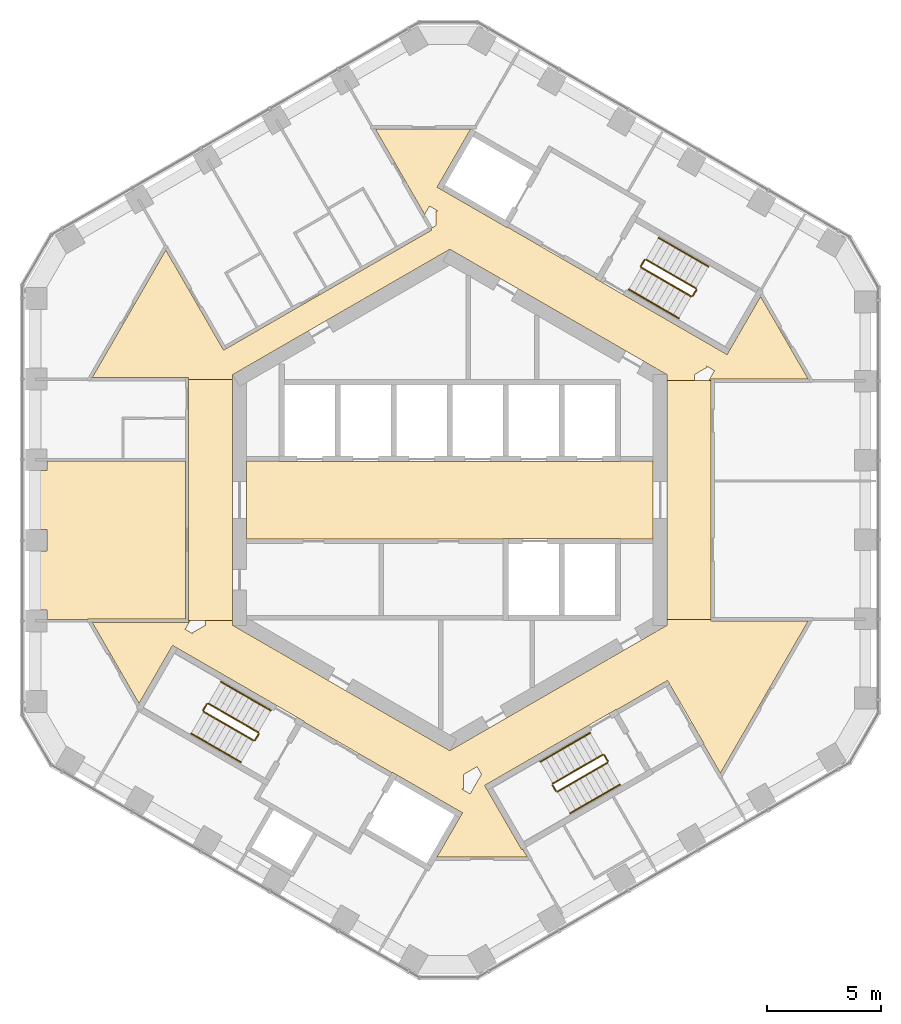
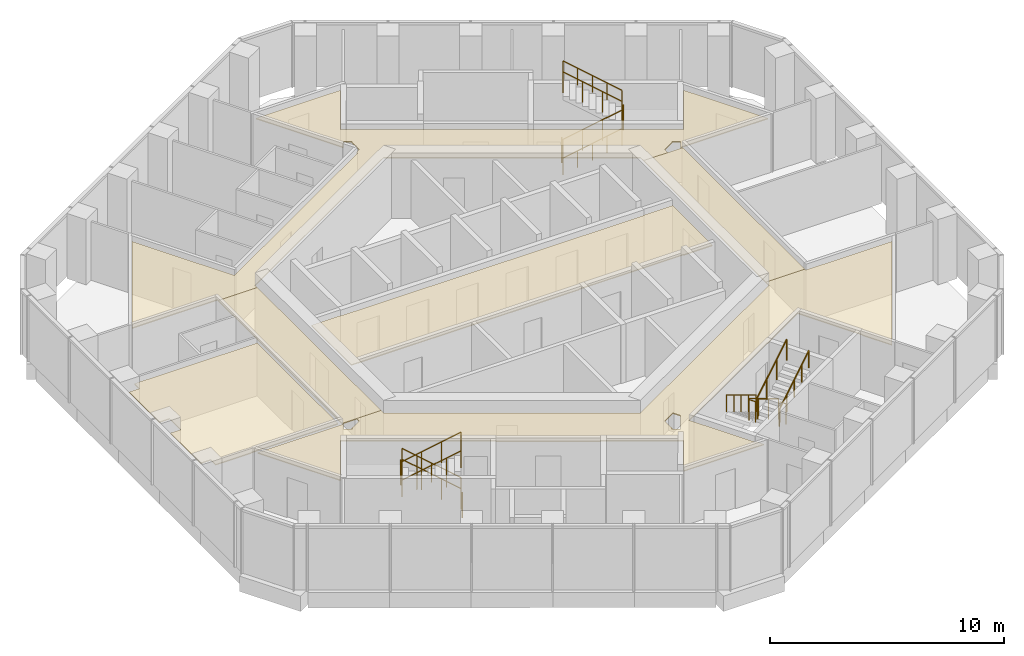
# One storey, part 19 of 19: 24 railings, 6 coverings.
"""IFC4 building model written with IfcOpenShell, lengths in metres."""

from ifc_helpers import new_model, si_unit, direction, frame, origin, origin_2d, place, context, subcontext, project, spatial, polyline, circle, outline, extrude, material, layer, layer_set, type_object, element, save


model = new_model("IFC4")

# Units and contexts
model_context = context("Model", 3, precision=1e-05, world=origin(), true_north=direction((0.0, 1.0)))
body_context = subcontext(model_context, "Body", "Model", "MODEL_VIEW")
ifc_project = project(units=[si_unit("LENGTHUNIT", "METRE"), si_unit("AREAUNIT", "SQUARE_METRE"), si_unit("VOLUMEUNIT", "CUBIC_METRE"), si_unit("PLANEANGLEUNIT", "RADIAN"), si_unit("MASSUNIT", "GRAM", prefix="KILO")], contexts=[model_context])

# Site, building, storey
site_placement = place(None, origin())
site = spatial("IfcSite", under=ifc_project, at=site_placement, CompositionType="ELEMENT")
building_placement = place(site_placement, origin())
building = spatial("IfcBuilding", under=site, at=building_placement, Name="Ayvan Gate Tower", CompositionType="ELEMENT")
storey_placement = place(building_placement, frame((0.0, 0.0, 156.10009765625)))
storey = spatial("IfcBuildingStorey", under=building, at=storey_placement, Name="L41", CompositionType="ELEMENT", Elevation=156.10009765625)

# Coverings
ifc_material_1 = material(Name="Plasterboard suspended ceiling")
ifc_layer = layer(ifc_material_1, 0.050048828125)
ifc_layer_set = layer_set([ifc_layer], Name="Plasterboard suspended ceiling")
covering_type = type_object("IfcCoveringType", Name="CT-SUSP-50", PredefinedType="CEILING", material=ifc_layer_set)
covering_1_placement = place(storey_placement, frame((0.0, 0.0, 2.699951171875)))
element("IfcCovering", 1, at=covering_1_placement, inside=storey, type_object=covering_type, Name="Ceiling Lift Lobby L41", PredefinedType="CEILING", context=body_context, shape_type="SweptSolid", body=[
    extrude(outline(polyline([(7.47509765625, -1.675048828125), (2.324951171875, -1.675048828125), (2.324951171875, -1.699951171875), (-8.89990234375, -1.699951171875), (-8.89990234375, 1.699951171875), (-7.47509765625, 1.699951171875), (-7.47509765625, 1.675048828125), (7.47509765625, 1.675048828125), (7.47509765625, 1.699951171875), (8.89990234375, 1.699951171875), (8.89990234375, -1.699951171875), (7.47509765625, -1.699951171875), (7.47509765625, -1.675048828125)])), origin(), (0.0, 0.0, 1.0), 0.050048828125),
])
covering_2_placement = place(storey_placement, frame((0.0, 0.0, 2.699951171875)))
element("IfcCovering", 2, at=covering_2_placement, inside=storey, type_object=covering_type, Name="Ceiling Gallery L41", PredefinedType="CEILING", context=body_context, shape_type="SweptSolid", body=[
    extrude(outline(polyline([(-11.914794921875, -6.48681640625), (-12.131103515625, -6.36181640625), (-13.597412109375, -8.901611328125), (-15.644287109375, -5.356201171875), (-11.4248046875, -5.356201171875), (-11.4248046875, -5.28125), (-11.363037109375, -5.28125), (-11.421142578125, -5.382080078125), (-11.580322265625, -5.65771484375), (-11.2294921875, -5.8603515625), (-11.259765625, -5.80810546875), (-10.699951171875, -5.48486328125), (-10.699951171875, -5.28125), (-9.5, -5.28125), (-9.5, -5.48486328125), (0.0, -10.9697265625), (8.38720703125, -6.127197265625), (9.5, -5.48486328125), (9.5, -5.2197265625), (11.4248046875, -5.2197265625), (11.4248046875, -5.294677734375), (15.679931640625, -5.294677734375), (11.836669921875, -11.95166015625), (11.102294921875, -10.6796875), (11.123779296875, -10.667236328125), (9.623779296875, -8.069091796875), (9.52392578125, -7.89599609375), (7.2939453125, -9.183349609375), (7.281494140625, -9.16162109375), (1.522216796875, -12.48681640625), (1.647216796875, -12.703369140625), (3.147216796875, -15.30126953125), (3.190673828125, -15.2763671875), (3.392822265625, -15.626708984375), (-0.563720703125, -15.626708984375), (0.43115234375, -13.9033203125), (0.55615234375, -13.686767578125), (-2.284423828125, -12.046630859375), (-2.518310546875, -11.91162109375), (-2.53076171875, -11.933349609375), (-6.384521484375, -9.70849609375), (-6.3720703125, -9.686767578125), (-11.91455078125, -6.48681640625), (-11.914794921875, -6.48681640625)]), holes=[polyline([(1.385498046875, -12.0), (1.193115234375, -11.66650390625), (0.60009765625, -12.0087890625), (0.60009765625, -12.6552734375), (0.53955078125, -12.6552734375), (0.890380859375, -12.85791015625), (1.385498046875, -12.0)])]), origin(), (0.0, 0.0, 1.0), 0.050048828125),
])
covering_3_placement = place(storey_placement, frame((0.0, 0.0, 2.699951171875)))
element("IfcCovering", 3, at=covering_3_placement, inside=storey, type_object=covering_type, Name="Ceiling Gallery L41", PredefinedType="CEILING", context=body_context, shape_type="SweptSolid", body=[
    extrude(outline(polyline([(-0.7919921875, 11.811279296875), (-0.82958984375, 11.876220703125), (-0.60009765625, 12.0087890625), (-0.60009765625, 12.6552734375), (-0.53955078125, 12.6552734375), (-0.890380859375, 12.85791015625), (-1.10009765625, 12.49462890625), (-3.254638671875, 16.2265625), (0.91015625, 16.2265625), (-0.55615234375, 13.686767578125), (-0.339599609375, 13.561767578125), (2.518310546875, 11.91162109375), (2.53076171875, 11.933349609375), (6.384521484375, 9.70849609375), (6.3720703125, 9.686767578125), (6.588623046875, 9.561767578125), (12.131103515625, 6.36181640625), (12.24609375, 6.56103515625), (13.597412109375, 8.901611328125), (15.679931640625, 5.294677734375), (11.425048828125, 5.294677734375), (11.425048828125, 5.2197265625), (11.327392578125, 5.2197265625), (11.37060546875, 5.294677734375), (11.580322265625, 5.65771484375), (11.2294921875, 5.8603515625), (11.259765625, 5.80810546875), (10.699951171875, 5.48486328125), (10.699951171875, 5.2197265625), (9.5, 5.2197265625), (9.5, 5.48486328125), (0.0, 10.9697265625), (-9.2705078125, 5.617431640625), (-9.5, 5.48486328125), (-9.5, 5.28125), (-11.425048828125, 5.28125), (-11.425048828125, 5.356201171875), (-15.644287109375, 5.356201171875), (-12.42529296875, 10.931884765625), (-9.89794921875, 6.55419921875), (-9.767822265625, 6.629150390625), (-0.7919921875, 11.811279296875)])), origin(), (0.0, 0.0, 1.0), 0.050048828125),
])
covering_4_placement = place(storey_placement, frame((0.0, 0.0, 2.699951171875)))
element("IfcCovering", 4, at=covering_4_placement, inside=storey, type_object=covering_type, Name="Ceiling Lift Lounge Lobby L41", PredefinedType="CEILING", context=body_context, shape_type="SweptSolid", body=[
    extrude(outline(polyline([(11.4248046875, -5.2197265625), (9.5, -5.2197265625), (9.5, 5.2197265625), (11.425048828125, 5.2197265625), (11.425048828125, -5.144775390625), (11.4248046875, -5.144775390625), (11.4248046875, -5.2197265625)])), origin(), (0.0, 0.0, 1.0), 0.050048828125),
])
covering_5_placement = place(storey_placement, frame((0.0, 0.0, 2.699951171875)))
element("IfcCovering", 5, at=covering_5_placement, inside=storey, type_object=covering_type, Name="Ceiling Lift Lounge Lobby L41", PredefinedType="CEILING", context=body_context, shape_type="SweptSolid", body=[
    extrude(outline(polyline([(-11.4248046875, -5.206298828125), (-11.425048828125, 5.28125), (-9.5, 5.28125), (-9.5, -5.28125), (-11.4248046875, -5.28125), (-11.4248046875, -5.206298828125)])), origin(), (0.0, 0.0, 1.0), 0.050048828125),
])
covering_6_placement = place(storey_placement, frame((0.0, 0.0, 2.699951171875)))
element("IfcCovering", 6, at=covering_6_placement, inside=storey, type_object=covering_type, Name="Ceiling Shared Kitchen L41", PredefinedType="CEILING", context=body_context, shape_type="SweptSolid", body=[
    extrude(outline(polyline([(-17.62255859375, 1.288818359375), (-17.62255859375, 1.71044921875), (-11.574951171875, 1.71044921875), (-11.574951171875, -5.206298828125), (-15.849365234375, -5.206298828125), (-15.849365234375, -5.231201171875), (-17.62255859375, -5.231201171875), (-17.62255859375, -4.816650390625), (-18.127197265625, -4.816650390625), (-18.127197265625, -2.239013671875), (-17.62255859375, -2.239013671875), (-17.62255859375, -1.288818359375), (-18.127197265625, -1.288818359375), (-18.127197265625, 1.288818359375), (-17.62255859375, 1.288818359375)])), origin(), (0.0, 0.0, 1.0), 0.050048828125),
])

# Railings
ifc_material_2 = material(Name="Stainless steel balustrade", Category="steel")
railing_type_1 = type_object("IfcRailingType", Name="RL-GUARD-1100", PredefinedType="GUARDRAIL", material=ifc_material_2)
railing_1_placement = place(storey_placement, frame((8.381103515625, 10.16650390625, 0.169921875)))
element("IfcRailing", 7, at=railing_1_placement, inside=storey, type_object=railing_type_1, Name="L41 STS1 stair guard 1", PredefinedType="GUARDRAIL", context=body_context, shape_type="SweptSolid", body=[
    extrude(circle(Radius=0.02392578125, at=origin_2d()), frame((0.0, 0.0, 1.076171875), z_axis=(0.740261155115, -0.427395438142, 0.518986090067), x_axis=(0.500004791531, 0.866022637375, 0.0)), (0.0, 0.0, 1.0), 2.947998046875),
    extrude(circle(Radius=0.02099609375, at=origin_2d()), origin(), (0.0, 0.0, 1.0), 1.052001953125),
    extrude(circle(Radius=0.02099609375, at=origin_2d()), frame((0.7275390625, -0.419921875, 0.510009765625)), (0.0, 0.0, 1.0), 1.052001953125),
    extrude(circle(Radius=0.02099609375, at=origin_2d()), frame((1.454833984375, -0.840087890625, 1.02001953125)), (0.0, 0.0, 1.0), 1.052001953125),
    extrude(circle(Radius=0.02099609375, at=origin_2d()), frame((2.182373046875, -1.260009765625, 1.530029296875)), (0.0, 0.0, 1.0), 1.052001953125),
])
railing_2_placement = place(storey_placement, frame((10.6318359375, 8.9248046875, 1.699951171875)))
element("IfcRailing", 8, at=railing_2_placement, inside=storey, type_object=railing_type_1, Name="L41 STS1 stair guard 2", PredefinedType="GUARDRAIL", context=body_context, shape_type="SweptSolid", body=[
    extrude(circle(Radius=0.02392578125, at=origin_2d()), frame((0.0, 0.0, 1.076171875), z_axis=(0.499949632511, 0.866054481515, 0.0), x_axis=(-0.866054481515, 0.499949632511, 0.0)), (0.0, 0.0, 1.0), 0.31005859375),
    extrude(circle(Radius=0.02099609375, at=origin_2d()), origin(), (0.0, 0.0, 1.0), 1.052001953125),
    extrude(circle(Radius=0.02099609375, at=origin_2d()), frame((0.155029296875, 0.2685546875, 0.0)), (0.0, 0.0, 1.0), 1.052001953125),
])
railing_3_placement = place(storey_placement, frame((10.7685546875, 9.261474609375, 1.869873046875)))
element("IfcRailing", 9, at=railing_3_placement, inside=storey, type_object=railing_type_1, Name="L41 STS1 stair guard 3", PredefinedType="GUARDRAIL", context=body_context, shape_type="SweptSolid", body=[
    extrude(circle(Radius=0.02392578125, at=origin_2d()), frame((0.0, 0.0, 1.076171875), z_axis=(-0.740261155115, 0.427395438142, 0.518986090067), x_axis=(-0.500004791531, -0.866022637375, 0.0)), (0.0, 0.0, 1.0), 2.947998046875),
    extrude(circle(Radius=0.02099609375, at=origin_2d()), origin(), (0.0, 0.0, 1.0), 1.052001953125),
    extrude(circle(Radius=0.02099609375, at=origin_2d()), frame((-0.7275390625, 0.419921875, 0.510009765625)), (0.0, 0.0, 1.0), 1.052001953125),
    extrude(circle(Radius=0.02099609375, at=origin_2d()), frame((-1.454833984375, 0.840087890625, 1.02001953125)), (0.0, 0.0, 1.0), 1.052001953125),
    extrude(circle(Radius=0.02099609375, at=origin_2d()), frame((-2.182373046875, 1.260009765625, 1.530029296875)), (0.0, 0.0, 1.0), 1.052001953125),
])
railing_4_placement = place(storey_placement, frame((8.36279296875, 10.23486328125, 0.0)))
element("IfcRailing", 10, at=railing_4_placement, inside=storey, type_object=railing_type_1, Name="L41 STS1 stair guard 4", PredefinedType="GUARDRAIL", context=body_context, shape_type="SweptSolid", body=[
    extrude(circle(Radius=0.02392578125, at=origin_2d()), frame((0.0, 0.0, 1.076171875), z_axis=(0.500290723946, 0.86585748916, 0.0), x_axis=(-0.86585748916, 0.500290723946, 0.0)), (0.0, 0.0, 1.0), 0.309814453125),
    extrude(circle(Radius=0.02099609375, at=origin_2d()), origin(), (0.0, 0.0, 1.0), 1.052001953125),
    extrude(circle(Radius=0.02099609375, at=origin_2d()), frame((0.155029296875, 0.268310546875, 0.0)), (0.0, 0.0, 1.0), 1.052001953125),
])
railing_5_placement = place(storey_placement, frame((-8.381103515625, -10.16650390625, 0.169921875)))
element("IfcRailing", 11, at=railing_5_placement, inside=storey, type_object=railing_type_1, Name="L41 STS2 stair guard 1", PredefinedType="GUARDRAIL", context=body_context, shape_type="SweptSolid", body=[
    extrude(circle(Radius=0.02392578125, at=origin_2d()), frame((0.0, 0.0, 1.076171875), z_axis=(-0.740261155115, 0.427395438142, 0.518986090067), x_axis=(-0.500004791531, -0.866022637375, 0.0)), (0.0, 0.0, 1.0), 2.947998046875),
    extrude(circle(Radius=0.02099609375, at=origin_2d()), origin(), (0.0, 0.0, 1.0), 1.052001953125),
    extrude(circle(Radius=0.02099609375, at=origin_2d()), frame((-0.7275390625, 0.419921875, 0.510009765625)), (0.0, 0.0, 1.0), 1.052001953125),
    extrude(circle(Radius=0.02099609375, at=origin_2d()), frame((-1.454833984375, 0.840087890625, 1.02001953125)), (0.0, 0.0, 1.0), 1.052001953125),
    extrude(circle(Radius=0.02099609375, at=origin_2d()), frame((-2.182373046875, 1.260009765625, 1.530029296875)), (0.0, 0.0, 1.0), 1.052001953125),
])
railing_6_placement = place(storey_placement, frame((-10.6318359375, -8.9248046875, 1.699951171875)))
element("IfcRailing", 12, at=railing_6_placement, inside=storey, type_object=railing_type_1, Name="L41 STS2 stair guard 2", PredefinedType="GUARDRAIL", context=body_context, shape_type="SweptSolid", body=[
    extrude(circle(Radius=0.02392578125, at=origin_2d()), frame((0.0, 0.0, 1.076171875), z_axis=(-0.499949632511, -0.866054481515, 0.0), x_axis=(0.866054481515, -0.499949632511, 0.0)), (0.0, 0.0, 1.0), 0.31005859375),
    extrude(circle(Radius=0.02099609375, at=origin_2d()), origin(), (0.0, 0.0, 1.0), 1.052001953125),
    extrude(circle(Radius=0.02099609375, at=origin_2d()), frame((-0.155029296875, -0.2685546875, 0.0)), (0.0, 0.0, 1.0), 1.052001953125),
])
railing_7_placement = place(storey_placement, frame((-10.7685546875, -9.261474609375, 1.869873046875)))
element("IfcRailing", 13, at=railing_7_placement, inside=storey, type_object=railing_type_1, Name="L41 STS2 stair guard 3", PredefinedType="GUARDRAIL", context=body_context, shape_type="SweptSolid", body=[
    extrude(circle(Radius=0.02392578125, at=origin_2d()), frame((0.0, 0.0, 1.076171875), z_axis=(0.740261155115, -0.427395438142, 0.518986090067), x_axis=(0.500004791531, 0.866022637375, 0.0)), (0.0, 0.0, 1.0), 2.947998046875),
    extrude(circle(Radius=0.02099609375, at=origin_2d()), origin(), (0.0, 0.0, 1.0), 1.052001953125),
    extrude(circle(Radius=0.02099609375, at=origin_2d()), frame((0.7275390625, -0.419921875, 0.510009765625)), (0.0, 0.0, 1.0), 1.052001953125),
    extrude(circle(Radius=0.02099609375, at=origin_2d()), frame((1.454833984375, -0.840087890625, 1.02001953125)), (0.0, 0.0, 1.0), 1.052001953125),
    extrude(circle(Radius=0.02099609375, at=origin_2d()), frame((2.182373046875, -1.260009765625, 1.530029296875)), (0.0, 0.0, 1.0), 1.052001953125),
])
railing_8_placement = place(storey_placement, frame((-8.36279296875, -10.23486328125, 0.0)))
element("IfcRailing", 14, at=railing_8_placement, inside=storey, type_object=railing_type_1, Name="L41 STS2 stair guard 4", PredefinedType="GUARDRAIL", context=body_context, shape_type="SweptSolid", body=[
    extrude(circle(Radius=0.02392578125, at=origin_2d()), frame((0.0, 0.0, 1.076171875), z_axis=(-0.500290723946, -0.86585748916, 0.0), x_axis=(0.86585748916, -0.500290723946, 0.0)), (0.0, 0.0, 1.0), 0.309814453125),
    extrude(circle(Radius=0.02099609375, at=origin_2d()), origin(), (0.0, 0.0, 1.0), 1.052001953125),
    extrude(circle(Radius=0.02099609375, at=origin_2d()), frame((-0.155029296875, -0.268310546875, 0.0)), (0.0, 0.0, 1.0), 1.052001953125),
])
railing_9_placement = place(storey_placement, frame((6.6923828125, -11.1416015625, 0.169921875)))
element("IfcRailing", 15, at=railing_9_placement, inside=storey, type_object=railing_type_1, Name="L41 STS3 stair guard 1", PredefinedType="GUARDRAIL", context=body_context, shape_type="SweptSolid", body=[
    extrude(circle(Radius=0.02392578125, at=origin_2d()), frame((0.0, 0.0, 1.076171875), z_axis=(-0.740261155115, -0.427395438142, 0.518986090067), x_axis=(0.500004791531, -0.866022637375, 0.0)), (0.0, 0.0, 1.0), 2.947998046875),
    extrude(circle(Radius=0.02099609375, at=origin_2d()), origin(), (0.0, 0.0, 1.0), 1.052001953125),
    extrude(circle(Radius=0.02099609375, at=origin_2d()), frame((-0.7275390625, -0.419921875, 0.510009765625)), (0.0, 0.0, 1.0), 1.052001953125),
    extrude(circle(Radius=0.02099609375, at=origin_2d()), frame((-1.454833984375, -0.840087890625, 1.02001953125)), (0.0, 0.0, 1.0), 1.052001953125),
    extrude(circle(Radius=0.02099609375, at=origin_2d()), frame((-2.182373046875, -1.260009765625, 1.530029296875)), (0.0, 0.0, 1.0), 1.052001953125),
])
railing_10_placement = place(storey_placement, frame((4.49169921875, -12.4697265625, 1.699951171875)))
element("IfcRailing", 16, at=railing_10_placement, inside=storey, type_object=railing_type_1, Name="L41 STS3 stair guard 2", PredefinedType="GUARDRAIL", context=body_context, shape_type="SweptSolid", body=[
    extrude(circle(Radius=0.02392578125, at=origin_2d()), frame((0.0, 0.0, 1.076171875), z_axis=(0.499949632511, -0.866054481515, 0.0), x_axis=(0.866054481515, 0.499949632511, 0.0)), (0.0, 0.0, 1.0), 0.31005859375),
    extrude(circle(Radius=0.02099609375, at=origin_2d()), origin(), (0.0, 0.0, 1.0), 1.052001953125),
    extrude(circle(Radius=0.02099609375, at=origin_2d()), frame((0.155029296875, -0.2685546875, 0.0)), (0.0, 0.0, 1.0), 1.052001953125),
])
railing_11_placement = place(storey_placement, frame((4.715087890625, -12.756591796875, 1.869873046875)))
element("IfcRailing", 17, at=railing_11_placement, inside=storey, type_object=railing_type_1, Name="L41 STS3 stair guard 3", PredefinedType="GUARDRAIL", context=body_context, shape_type="SweptSolid", body=[
    extrude(circle(Radius=0.02392578125, at=origin_2d()), frame((0.0, 0.0, 1.076171875), z_axis=(0.740261155115, 0.427395438142, 0.518986090067), x_axis=(-0.500004791531, 0.866022637375, 0.0)), (0.0, 0.0, 1.0), 2.947998046875),
    extrude(circle(Radius=0.02099609375, at=origin_2d()), origin(), (0.0, 0.0, 1.0), 1.052001953125),
    extrude(circle(Radius=0.02099609375, at=origin_2d()), frame((0.7275390625, 0.419921875, 0.510009765625)), (0.0, 0.0, 1.0), 1.052001953125),
    extrude(circle(Radius=0.02099609375, at=origin_2d()), frame((1.454833984375, 0.840087890625, 1.02001953125)), (0.0, 0.0, 1.0), 1.052001953125),
    extrude(circle(Radius=0.02099609375, at=origin_2d()), frame((2.182373046875, 1.260009765625, 1.530029296875)), (0.0, 0.0, 1.0), 1.052001953125),
])
railing_12_placement = place(storey_placement, frame((6.7607421875, -11.159912109375, 0.0)))
element("IfcRailing", 18, at=railing_12_placement, inside=storey, type_object=railing_type_1, Name="L41 STS3 stair guard 4", PredefinedType="GUARDRAIL", context=body_context, shape_type="SweptSolid", body=[
    extrude(circle(Radius=0.02392578125, at=origin_2d()), frame((0.0, 0.0, 1.076171875), z_axis=(0.500290723946, -0.86585748916, 0.0), x_axis=(0.86585748916, 0.500290723946, 0.0)), (0.0, 0.0, 1.0), 0.309814453125),
    extrude(circle(Radius=0.02099609375, at=origin_2d()), origin(), (0.0, 0.0, 1.0), 1.052001953125),
    extrude(circle(Radius=0.02099609375, at=origin_2d()), frame((0.155029296875, -0.268310546875, 0.0)), (0.0, 0.0, 1.0), 1.052001953125),
])
railing_type_2 = type_object("IfcRailingType", Name="RL-HANDRAIL-900", PredefinedType="HANDRAIL", material=ifc_material_2)
railing_13_placement = place(storey_placement, frame((7.8310546875, 9.2138671875, 0.169921875)))
element("IfcRailing", 19, at=railing_13_placement, inside=storey, type_object=railing_type_2, Name="L41 STS1 stair handrail 1", PredefinedType="HANDRAIL", context=body_context, shape_type="SweptSolid", body=[
    extrude(circle(Radius=0.02392578125, at=origin_2d()), frame((0.0, 0.0, 0.8759765625), z_axis=(0.740356597536, -0.427319915356, 0.518912129772), x_axis=(0.499890179513, 0.866088799389, 0.0)), (0.0, 0.0, 1.0), 1.47412109375),
    extrude(circle(Radius=0.02099609375, at=origin_2d()), origin(), (0.0, 0.0, 1.0), 0.851806640625),
    extrude(circle(Radius=0.02099609375, at=origin_2d()), frame((0.545654296875, -0.31494140625, 0.38232421875)), (0.0, 0.0, 1.0), 0.851806640625),
    extrude(circle(Radius=0.02099609375, at=origin_2d()), frame((1.09130859375, -0.6298828125, 0.764892578125)), (0.0, 0.0, 1.0), 0.851806640625),
])
railing_14_placement = place(storey_placement, frame((8.92236328125, 8.583984375, 0.934814453125)))
element("IfcRailing", 20, at=railing_14_placement, inside=storey, type_object=railing_type_2, Name="L41 STS1 stair handrail 2", PredefinedType="HANDRAIL", context=body_context, shape_type="SweptSolid", body=[
    extrude(circle(Radius=0.02392578125, at=origin_2d()), frame((0.0, 0.0, 0.8759765625), z_axis=(0.740165700939, -0.427470949681, 0.519060037311), x_axis=(0.50011940292, 0.865956455501, 0.0)), (0.0, 0.0, 1.0), 1.47412109375),
    extrude(circle(Radius=0.02099609375, at=origin_2d()), origin(), (0.0, 0.0, 1.0), 0.851806640625),
    extrude(circle(Radius=0.02099609375, at=origin_2d()), frame((0.54541015625, -0.31494140625, 0.382568359375)), (0.0, 0.0, 1.0), 0.851806640625),
    extrude(circle(Radius=0.02099609375, at=origin_2d()), frame((1.091064453125, -0.630126953125, 0.76513671875)), (0.0, 0.0, 1.0), 0.851806640625),
])
railing_15_placement = place(storey_placement, frame((11.318603515625, 10.214111328125, 1.869873046875)))
element("IfcRailing", 21, at=railing_15_placement, inside=storey, type_object=railing_type_2, Name="L41 STS1 stair handrail 3", PredefinedType="HANDRAIL", context=body_context, shape_type="SweptSolid", body=[
    extrude(circle(Radius=0.02392578125, at=origin_2d()), frame((0.0, 0.0, 0.8759765625), z_axis=(-0.740240574041, 0.427418550694, 0.518996411419), x_axis=(-0.500035496587, -0.86600490885, 0.0)), (0.0, 0.0, 1.0), 1.474365234375),
    extrude(circle(Radius=0.02099609375, at=origin_2d()), origin(), (0.0, 0.0, 1.0), 0.851806640625),
    extrude(circle(Radius=0.02099609375, at=origin_2d()), frame((-0.545654296875, 0.31494140625, 0.382568359375)), (0.0, 0.0, 1.0), 0.851806640625),
    extrude(circle(Radius=0.02099609375, at=origin_2d()), frame((-1.09130859375, 0.630126953125, 0.76513671875)), (0.0, 0.0, 1.0), 0.851806640625),
])
for number, where, name in (
    (22, (10.227294921875, 10.84423828125, 2.635009765625), "L41 STS1 stair handrail 4"),
    (23, (-7.8310546875, -9.2138671875, 0.169921875), "L41 STS2 stair handrail 1"),
):
    element("IfcRailing", number, at=place(storey_placement, frame(where)), inside=storey, type_object=railing_type_2, Name=name, PredefinedType="HANDRAIL", context=body_context, shape_type="SweptSolid", body=[
        extrude(circle(Radius=0.02392578125, at=origin_2d()), frame((0.0, 0.0, 0.8759765625), z_axis=(-0.740356597536, 0.427319915356, 0.518912129772), x_axis=(-0.499890179513, -0.866088799389, 0.0)), (0.0, 0.0, 1.0), 1.47412109375),
        extrude(circle(Radius=0.02099609375, at=origin_2d()), origin(), (0.0, 0.0, 1.0), 0.851806640625),
        extrude(circle(Radius=0.02099609375, at=origin_2d()), frame((-0.545654296875, 0.31494140625, 0.38232421875)), (0.0, 0.0, 1.0), 0.851806640625),
        extrude(circle(Radius=0.02099609375, at=origin_2d()), frame((-1.09130859375, 0.6298828125, 0.764892578125)), (0.0, 0.0, 1.0), 0.851806640625),
    ])
railing_16_placement = place(storey_placement, frame((-8.92236328125, -8.583984375, 0.934814453125)))
element("IfcRailing", 24, at=railing_16_placement, inside=storey, type_object=railing_type_2, Name="L41 STS2 stair handrail 2", PredefinedType="HANDRAIL", context=body_context, shape_type="SweptSolid", body=[
    extrude(circle(Radius=0.02392578125, at=origin_2d()), frame((0.0, 0.0, 0.8759765625), z_axis=(-0.740165700939, 0.427470949681, 0.519060037311), x_axis=(-0.50011940292, -0.865956455501, 0.0)), (0.0, 0.0, 1.0), 1.47412109375),
    extrude(circle(Radius=0.02099609375, at=origin_2d()), origin(), (0.0, 0.0, 1.0), 0.851806640625),
    extrude(circle(Radius=0.02099609375, at=origin_2d()), frame((-0.54541015625, 0.31494140625, 0.382568359375)), (0.0, 0.0, 1.0), 0.851806640625),
    extrude(circle(Radius=0.02099609375, at=origin_2d()), frame((-1.091064453125, 0.630126953125, 0.76513671875)), (0.0, 0.0, 1.0), 0.851806640625),
])
railing_17_placement = place(storey_placement, frame((-11.318603515625, -10.214111328125, 1.869873046875)))
element("IfcRailing", 25, at=railing_17_placement, inside=storey, type_object=railing_type_2, Name="L41 STS2 stair handrail 3", PredefinedType="HANDRAIL", context=body_context, shape_type="SweptSolid", body=[
    extrude(circle(Radius=0.02392578125, at=origin_2d()), frame((0.0, 0.0, 0.8759765625), z_axis=(0.740240574041, -0.427418550694, 0.518996411419), x_axis=(0.500035496587, 0.86600490885, 0.0)), (0.0, 0.0, 1.0), 1.474365234375),
    extrude(circle(Radius=0.02099609375, at=origin_2d()), origin(), (0.0, 0.0, 1.0), 0.851806640625),
    extrude(circle(Radius=0.02099609375, at=origin_2d()), frame((0.545654296875, -0.31494140625, 0.382568359375)), (0.0, 0.0, 1.0), 0.851806640625),
    extrude(circle(Radius=0.02099609375, at=origin_2d()), frame((1.09130859375, -0.630126953125, 0.76513671875)), (0.0, 0.0, 1.0), 0.851806640625),
])
railing_18_placement = place(storey_placement, frame((-10.227294921875, -10.84423828125, 2.635009765625)))
element("IfcRailing", 26, at=railing_18_placement, inside=storey, type_object=railing_type_2, Name="L41 STS2 stair handrail 4", PredefinedType="HANDRAIL", context=body_context, shape_type="SweptSolid", body=[
    extrude(circle(Radius=0.02392578125, at=origin_2d()), frame((0.0, 0.0, 0.8759765625), z_axis=(0.740356597536, -0.427319915356, 0.518912129772), x_axis=(0.499890179513, 0.866088799389, 0.0)), (0.0, 0.0, 1.0), 1.47412109375),
    extrude(circle(Radius=0.02099609375, at=origin_2d()), origin(), (0.0, 0.0, 1.0), 0.851806640625),
    extrude(circle(Radius=0.02099609375, at=origin_2d()), frame((0.545654296875, -0.31494140625, 0.38232421875)), (0.0, 0.0, 1.0), 0.851806640625),
    extrude(circle(Radius=0.02099609375, at=origin_2d()), frame((1.09130859375, -0.6298828125, 0.764892578125)), (0.0, 0.0, 1.0), 0.851806640625),
])
railing_19_placement = place(storey_placement, frame((6.142333984375, -10.18896484375, 0.169921875)))
element("IfcRailing", 27, at=railing_19_placement, inside=storey, type_object=railing_type_2, Name="L41 STS3 stair handrail 1", PredefinedType="HANDRAIL", context=body_context, shape_type="SweptSolid", body=[
    extrude(circle(Radius=0.02392578125, at=origin_2d()), frame((0.0, 0.0, 0.8759765625), z_axis=(-0.740281741151, -0.427372318678, 0.518975765278), x_axis=(0.499974077718, -0.866040369504, 0.0)), (0.0, 0.0, 1.0), 1.473876953125),
    extrude(circle(Radius=0.02099609375, at=origin_2d()), origin(), (0.0, 0.0, 1.0), 0.851806640625),
    extrude(circle(Radius=0.02099609375, at=origin_2d()), frame((-0.54541015625, -0.31494140625, 0.38232421875)), (0.0, 0.0, 1.0), 0.851806640625),
    extrude(circle(Radius=0.02099609375, at=origin_2d()), frame((-1.091064453125, -0.6298828125, 0.764892578125)), (0.0, 0.0, 1.0), 0.851806640625),
])
railing_20_placement = place(storey_placement, frame((5.05126953125, -10.81884765625, 0.934814453125)))
element("IfcRailing", 28, at=railing_20_placement, inside=storey, type_object=railing_type_2, Name="L41 STS3 stair handrail 2", PredefinedType="HANDRAIL", context=body_context, shape_type="SweptSolid", body=[
    extrude(circle(Radius=0.02392578125, at=origin_2d()), frame((0.0, 0.0, 0.8759765625), z_axis=(-0.740240574041, -0.427418550694, 0.518996411419), x_axis=(0.500035496587, -0.86600490885, 0.0)), (0.0, 0.0, 1.0), 1.474365234375),
    extrude(circle(Radius=0.02099609375, at=origin_2d()), origin(), (0.0, 0.0, 1.0), 0.851806640625),
    extrude(circle(Radius=0.02099609375, at=origin_2d()), frame((-0.545654296875, -0.31494140625, 0.382568359375)), (0.0, 0.0, 1.0), 0.851806640625),
    extrude(circle(Radius=0.02099609375, at=origin_2d()), frame((-1.09130859375, -0.630126953125, 0.76513671875)), (0.0, 0.0, 1.0), 0.851806640625),
])
railing_21_placement = place(storey_placement, frame((5.264892578125, -13.709228515625, 1.869873046875)))
element("IfcRailing", 29, at=railing_21_placement, inside=storey, type_object=railing_type_2, Name="L41 STS3 stair handrail 3", PredefinedType="HANDRAIL", context=body_context, shape_type="SweptSolid", body=[
    extrude(circle(Radius=0.02392578125, at=origin_2d()), frame((0.0, 0.0, 0.8759765625), z_axis=(0.740240574041, 0.427418550694, 0.518996411419), x_axis=(-0.500035496587, 0.86600490885, 0.0)), (0.0, 0.0, 1.0), 1.474365234375),
    extrude(circle(Radius=0.02099609375, at=origin_2d()), origin(), (0.0, 0.0, 1.0), 0.851806640625),
    extrude(circle(Radius=0.02099609375, at=origin_2d()), frame((0.545654296875, 0.31494140625, 0.382568359375)), (0.0, 0.0, 1.0), 0.851806640625),
    extrude(circle(Radius=0.02099609375, at=origin_2d()), frame((1.09130859375, 0.630126953125, 0.76513671875)), (0.0, 0.0, 1.0), 0.851806640625),
])
railing_22_placement = place(storey_placement, frame((6.356201171875, -13.0791015625, 2.635009765625)))
element("IfcRailing", 30, at=railing_22_placement, inside=storey, type_object=railing_type_2, Name="L41 STS3 stair handrail 4", PredefinedType="HANDRAIL", context=body_context, shape_type="SweptSolid", body=[
    extrude(circle(Radius=0.02392578125, at=origin_2d()), frame((0.0, 0.0, 0.8759765625), z_axis=(0.740281741151, 0.427372318678, 0.518975765278), x_axis=(-0.499974077718, 0.866040369504, 0.0)), (0.0, 0.0, 1.0), 1.473876953125),
    extrude(circle(Radius=0.02099609375, at=origin_2d()), origin(), (0.0, 0.0, 1.0), 0.851806640625),
    extrude(circle(Radius=0.02099609375, at=origin_2d()), frame((0.54541015625, 0.31494140625, 0.38232421875)), (0.0, 0.0, 1.0), 0.851806640625),
    extrude(circle(Radius=0.02099609375, at=origin_2d()), frame((1.091064453125, 0.6298828125, 0.764892578125)), (0.0, 0.0, 1.0), 0.851806640625),
])

save(model, "model.ifc")
